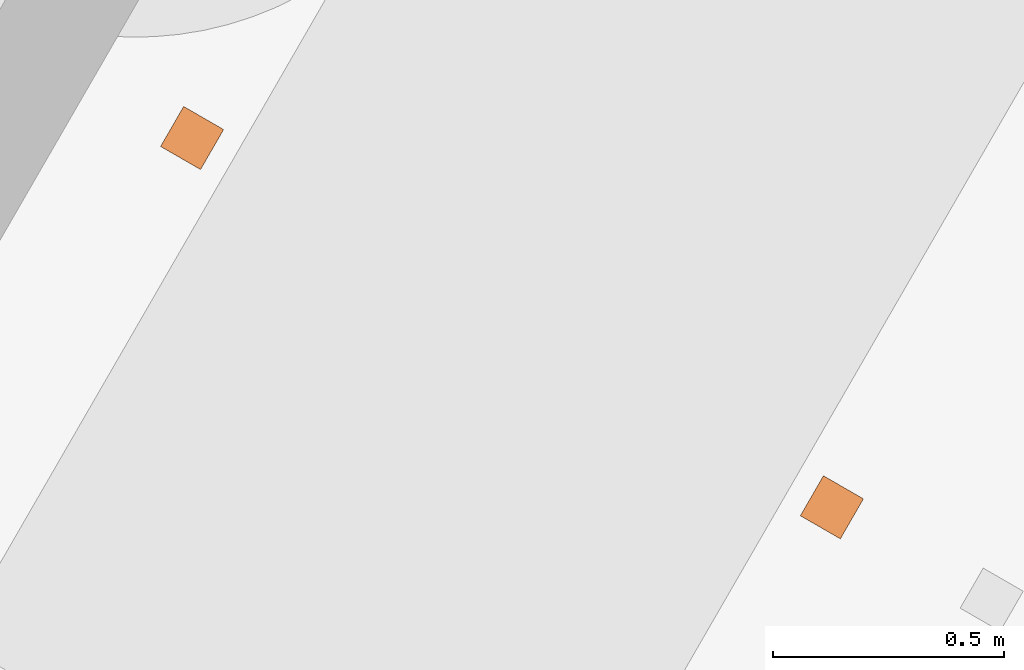
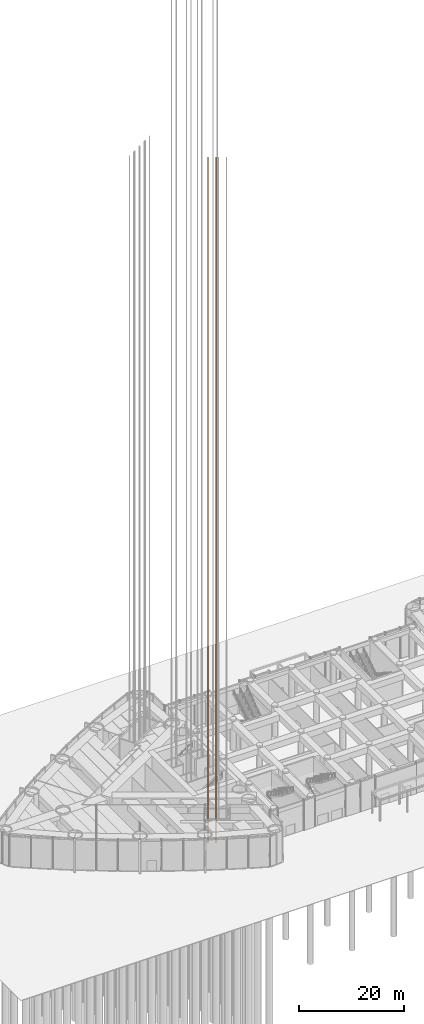
# One storey, part 31 of 43: 1 proxy.
"""IFC4 building model written with IfcOpenShell, lengths in metres."""

from ifc_helpers import new_model, si_unit, direction, frame, origin, origin_2d, place, context, subcontext, project, spatial, rectangle, extrude, material, type_object, element, save


model = new_model("IFC4")

# Units and contexts
model_context = context("Model", 3, precision=1e-05, world=origin(), true_north=direction((0.0, 1.0)))
body_context = subcontext(model_context, "Body", "Model", "MODEL_VIEW")
ifc_project = project(units=[si_unit("LENGTHUNIT", "METRE"), si_unit("AREAUNIT", "SQUARE_METRE"), si_unit("VOLUMEUNIT", "CUBIC_METRE"), si_unit("PLANEANGLEUNIT", "RADIAN"), si_unit("MASSUNIT", "GRAM", prefix="KILO")], contexts=[model_context])

# Site, building, storey
site_placement = place(None, origin())
site = spatial("IfcSite", under=ifc_project, at=site_placement, CompositionType="ELEMENT")
building_placement = place(site_placement, origin())
building = spatial("IfcBuilding", under=site, at=building_placement, Name="Lancet Gate Hotel", CompositionType="ELEMENT")
storey_placement = place(building_placement, origin())
storey = spatial("IfcBuildingStorey", under=building, at=storey_placement, Name="L00", CompositionType="ELEMENT", Elevation=0.0)

# Proxy
ifc_material = material(Name="Steel S355", Category="steel")
building_element_proxy_type = type_object("IfcBuildingElementProxyType", Name="Lift guide rails", PredefinedType="USERDEFINED", material=ifc_material)
proxy_placement = place(storey_placement, frame((-37.3154296875, -14.868408203125, 0.0), z_axis=(0.0, 0.0, 1.0), x_axis=(-0.499916865226, -0.866073396349, 0.0)))
element("IfcBuildingElementProxy", 1, at=proxy_placement, inside=storey, type_object=building_element_proxy_type, Name="T1-EX2 guide rails", ObjectType="LIFT GUIDE RAILS", PredefinedType="USERDEFINED", context=body_context, shape_type="SweptSolid", body=[
    extrude(rectangle(XDim=0.1, YDim=0.1, at=origin_2d()), frame((0.0, -0.800048828125, 0.0)), (0.0, 0.0, 1.0), 159.300048828125),
    extrude(rectangle(XDim=0.1, YDim=0.1, at=origin_2d()), frame((0.0, 0.800048828125, 0.0)), (0.0, 0.0, 1.0), 159.300048828125),
])

save(model, "model.ifc")
